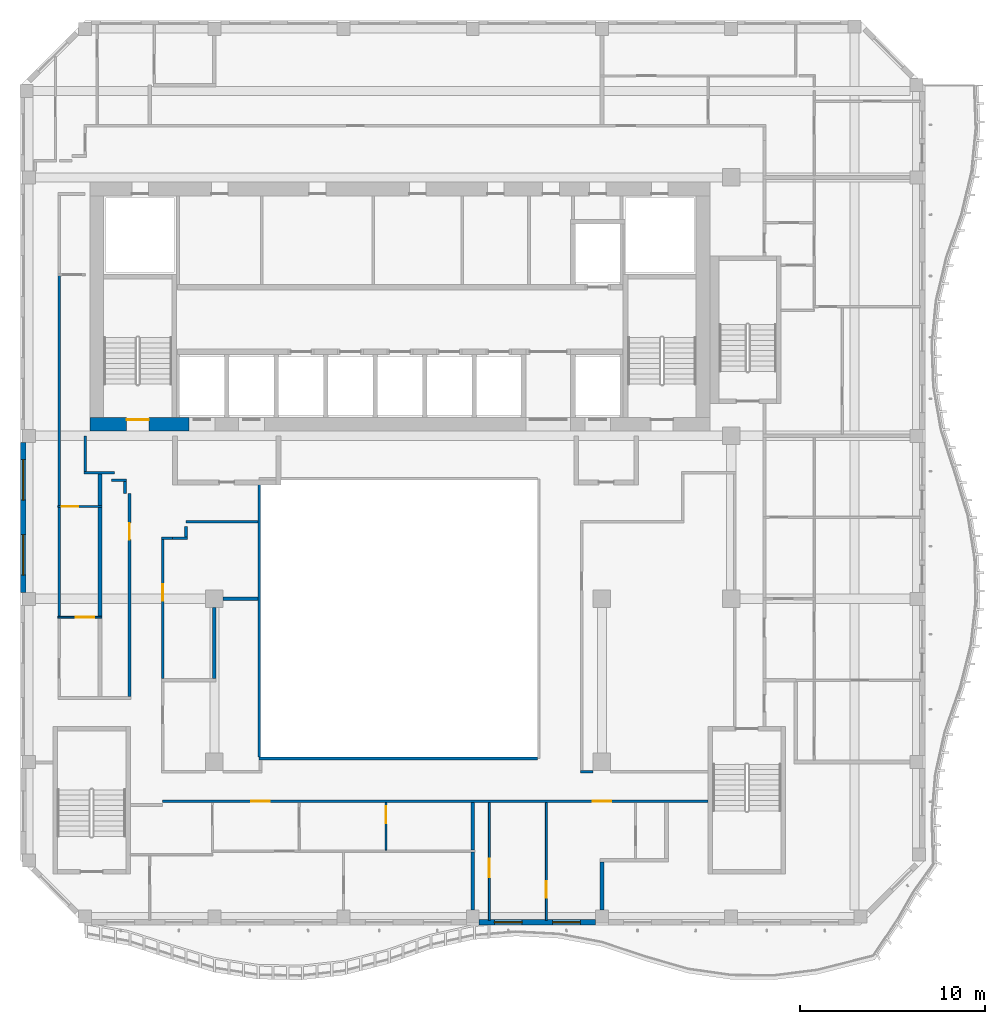
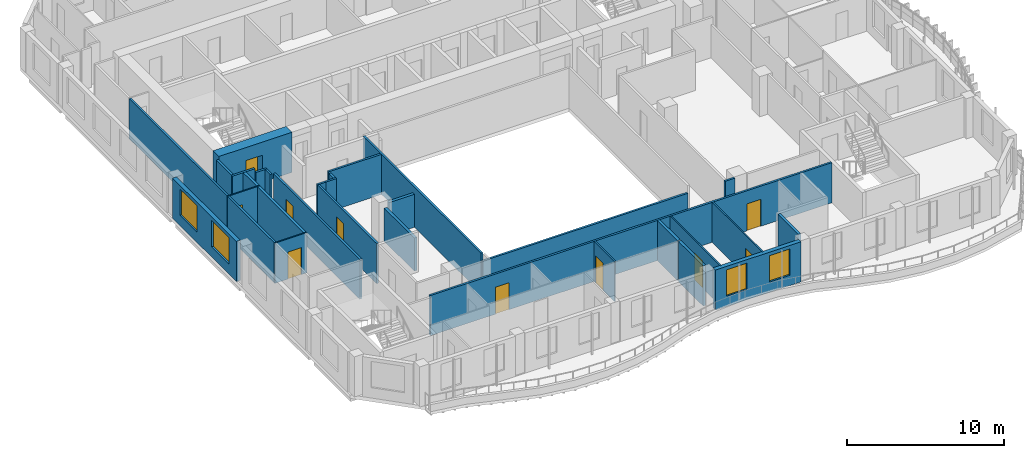
# One storey, part 3 of 19: 31 walls, 10 doors, 4 windows, 14 openings.
"""IFC4 building model written with IfcOpenShell, lengths in metres."""

from ifc_helpers import new_model, si_unit, direction, frame, frame_2d, origin, place, context, subcontext, project, spatial, rectangle, extrude, source, transform, mapped, material, layer, layer_set, type_object, element, fill, save


model = new_model("IFC4")

# Units and contexts
model_context = context("Model", 3, precision=1e-05, world=origin(), true_north=direction((0.0, 1.0)))
body_context = subcontext(model_context, "Body", "Model", "MODEL_VIEW")
ifc_project = project(units=[si_unit("LENGTHUNIT", "METRE"), si_unit("AREAUNIT", "SQUARE_METRE"), si_unit("VOLUMEUNIT", "CUBIC_METRE"), si_unit("PLANEANGLEUNIT", "RADIAN"), si_unit("MASSUNIT", "GRAM", prefix="KILO")], contexts=[model_context])

# Site, building, storey
site_placement = place(None, origin())
site = spatial("IfcSite", under=ifc_project, at=site_placement, CompositionType="ELEMENT")
building_placement = place(site_placement, origin())
building = spatial("IfcBuilding", under=site, at=building_placement, Name="Kilnfold Tower and Market Hall", CompositionType="ELEMENT")
storey_placement = place(building_placement, frame((0.0, 0.0, 242.39990234375)))
storey = spatial("IfcBuildingStorey", under=building, at=storey_placement, Name="L58", CompositionType="ELEMENT", Elevation=242.39990234375)

# Walls
ifc_material_1 = material(Name="Fire-resisting glazed screen")
ifc_layer_1 = layer(ifc_material_1, 0.14990234375)
ifc_layer_set_1 = layer_set([ifc_layer_1], Name="Fire-resisting glazed screen")
wall_type_1 = type_object("IfcWallType", Name="WALL ATRIUM 150", PredefinedType="PARTITIONING", material=ifc_layer_set_1)
wall_1_placement = place(storey_placement, frame((8.5, -9.47509765625, 0.0), z_axis=(0.0, 0.0, 1.0), x_axis=(-1.0, 0.0, 0.0)))
element("IfcWall", 1, at=wall_1_placement, inside=storey, type_object=wall_type_1, Name="Partition LY35.108", PredefinedType="PARTITIONING", context=body_context, shape_type="SweptSolid", body=[
    extrude(rectangle(XDim=15.074951171875, YDim=0.14990234375, at=frame_2d((7.53759765625, 0.0))), origin(), (0.0, 0.0, 1.0), 2.570068359375),
])
wall_2_placement = place(storey_placement, frame((-6.574951171875, -9.39990234375, 0.0), z_axis=(0.0, 0.0, 1.0), x_axis=(0.0, 1.0, 0.0)))
element("IfcWall", 2, at=wall_2_placement, inside=storey, type_object=wall_type_1, Name="Partition LY35.109", PredefinedType="PARTITIONING", context=body_context, shape_type="SweptSolid", body=[
    extrude(rectangle(XDim=15.0, YDim=0.14990234375, at=frame_2d((7.5, 0.0))), origin(), (0.0, 0.0, 1.0), 3.1201171875),
])
ifc_material_2 = material(Name="Gypsum board on steel studs", Category="steel")
ifc_layer_2 = layer(ifc_material_2, 0.14990234375)
ifc_layer_set_2 = layer_set([ifc_layer_2], Name="Gypsum board on steel studs")
wall_type_2 = type_object("IfcWallType", Name="WALL CORRIDOR 150", PredefinedType="PARTITIONING", material=ifc_layer_set_2)
wall_3_placement = place(storey_placement, frame((-17.39990234375, -1.791015625, 0.0), z_axis=(0.0, 0.0, 1.0), x_axis=(0.0, 1.0, 0.0)))
element("IfcWall", 3, at=wall_3_placement, inside=storey, type_object=wall_type_2, Name="Partition LY35.3", PredefinedType="PARTITIONING", context=body_context, shape_type="SweptSolid", body=[
    extrude(rectangle(XDim=5.925048828125, YDim=0.14990234375, at=frame_2d((2.96240234375, 0.0))), origin(), (0.0, 0.0, 1.0), 3.1201171875),
])
wall_4_placement = place(storey_placement, frame((-17.39990234375, 4.214111328125, 0.0), z_axis=(0.0, 0.0, 1.0), x_axis=(0.0, 1.0, 0.0)))
element("IfcWall", 4, at=wall_4_placement, inside=storey, type_object=wall_type_2, Name="Partition LY35.4", PredefinedType="PARTITIONING", context=body_context, shape_type="SweptSolid", body=[
    extrude(rectangle(XDim=12.476806640625, YDim=0.14990234375, at=frame_2d((6.23828125, 0.0))), origin(), (0.0, 0.0, 1.0), 3.1201171875),
])
wall_5_placement = place(storey_placement, frame((-16.074951171875, 6.0, 0.0), z_axis=(0.0, 0.0, 1.0), x_axis=(1.0, 0.0, 0.0)))
element("IfcWall", 5, at=wall_5_placement, inside=storey, type_object=wall_type_2, Name="Partition LY35.5", PredefinedType="PARTITIONING", context=body_context, shape_type="SweptSolid", body=[
    extrude(rectangle(XDim=1.64990234375, YDim=0.14990234375, at=frame_2d((0.824951171875, 0.0))), origin(), (0.0, 0.0, 1.0), 3.1201171875),
])
wall_6_placement = place(storey_placement, frame((-16.0, 6.074951171875, 0.0), z_axis=(0.0, 0.0, 1.0), x_axis=(0.0, 1.0, 0.0)))
element("IfcWall", 6, at=wall_6_placement, inside=storey, type_object=wall_type_2, Name="Partition LY35.6", PredefinedType="PARTITIONING", context=body_context, shape_type="SweptSolid", body=[
    extrude(rectangle(XDim=1.925048828125, YDim=0.14990234375, at=frame_2d((0.96240234375, 0.0))), origin(), (0.0, 0.0, 1.0), 3.1201171875),
])

# Wall, openings, doors
wall_7_placement = place(storey_placement, frame((-11.800048828125, -11.800048828125, 0.0), z_axis=(0.0, 0.0, 1.0), x_axis=(1.0, 0.0, 0.0)))
wall_7 = element("IfcWall", 7, at=wall_7_placement, inside=storey, type_object=wall_type_2, Name="Partition LY35.9", PredefinedType="PARTITIONING", context=body_context, shape_type="SweptSolid", body=[
    extrude(rectangle(XDim=29.550048828125, YDim=0.14990234375, at=frame_2d((14.77490234375, 0.0))), origin(), (0.0, 0.0, 1.0), 3.1201171875),
])
opening_1_placement = place(wall_7_placement, frame((4.802001953125, 0.0, 0.0)))
opening_1 = element("IfcOpeningElement", 8, at=opening_1_placement, cuts=wall_7, Name="Opening D1", PredefinedType="OPENING", context=body_context, shape_type="SweptSolid", body=[
    extrude(rectangle(XDim=1.0, YDim=2.10009765625, at=frame_2d((0.5, 1.050048828125))), frame((0.0, 0.0849609375, 0.0), z_axis=(0.0, -1.0, 0.0), x_axis=(1.0, 0.0, 0.0)), (0.0, 0.0, 1.0), 0.169921875),
])
opening_2_placement = place(wall_7_placement, frame((23.31396484375, 0.0, 0.0)))
opening_2 = element("IfcOpeningElement", 9, at=opening_2_placement, cuts=wall_7, Name="Opening D1", PredefinedType="OPENING", context=body_context, shape_type="SweptSolid", body=[
    extrude(rectangle(XDim=1.0, YDim=2.10009765625, at=frame_2d((0.5, 1.050048828125))), frame((0.0, 0.0849609375, 0.0), z_axis=(0.0, -1.0, 0.0), x_axis=(1.0, 0.0, 0.0)), (0.0, 0.0, 1.0), 0.169921875),
])
ifc_material_3 = material(Name="Timber veneer door leaf in steel frame", Category="steel")
door_type_1 = type_object("IfcDoorType", Name="DOOR ENTRY 1000 X2100", OperationType="NOTDEFINED", PredefinedType="DOOR", material=ifc_material_3)
door_1_placement = place(opening_1_placement, origin())
door_1 = element("IfcDoor", 10, at=door_1_placement, inside=storey, type_object=door_type_1, Name="Door D1", OperationType="SINGLE_SWING_RIGHT", OverallHeight=2.10009765625, OverallWidth=1.0, PredefinedType="DOOR", context=body_context, shape_type="SweptSolid", body=[
    extrude(rectangle(XDim=1.0, YDim=2.10009765625, at=frame_2d((0.5, 1.050048828125))), frame((0.0, 0.02490234375, 0.0), z_axis=(0.0, -1.0, 0.0), x_axis=(1.0, 0.0, 0.0)), (0.0, 0.0, 1.0), 0.050048828125),
])
fill(opening_1, door_1)
door_2_placement = place(opening_2_placement, origin())
door_2 = element("IfcDoor", 11, at=door_2_placement, inside=storey, type_object=door_type_1, Name="Door D1", OperationType="SINGLE_SWING_RIGHT", OverallHeight=2.10009765625, OverallWidth=1.0, PredefinedType="DOOR", context=body_context, shape_type="SweptSolid", body=[
    extrude(rectangle(XDim=1.0, YDim=2.10009765625, at=frame_2d((0.5, 1.050048828125))), frame((0.0, 0.02490234375, 0.0), z_axis=(0.0, -1.0, 0.0), x_axis=(1.0, 0.0, 0.0)), (0.0, 0.0, 1.0), 0.050048828125),
])
fill(opening_2, door_2)

# Wall, opening, door
wall_8_placement = place(storey_placement, frame((-13.60009765625, 4.87890625, 0.0), z_axis=(0.0, 0.0, 1.0), x_axis=(0.0, -1.0, 0.0)))
wall_8 = element("IfcWall", 12, at=wall_8_placement, inside=storey, type_object=wall_type_2, Name="Partition LY35.28", PredefinedType="PARTITIONING", context=body_context, shape_type="SweptSolid", body=[
    extrude(rectangle(XDim=11.00390625, YDim=0.14990234375, at=frame_2d((5.501953125, 0.0))), origin(), (0.0, 0.0, 1.0), 3.1201171875),
])
opening_3_placement = place(wall_8_placement, frame((1.60107421875, 0.0, 0.0)))
opening_3 = element("IfcOpeningElement", 13, at=opening_3_placement, cuts=wall_8, Name="Opening D2", PredefinedType="OPENING", context=body_context, shape_type="SweptSolid", body=[
    extrude(rectangle(XDim=0.89990234375, YDim=2.10009765625, at=frame_2d((0.449951171875, 1.050048828125))), frame((0.0, 0.0849609375, 0.0), z_axis=(0.0, -1.0, 0.0), x_axis=(1.0, 0.0, 0.0)), (0.0, 0.0, 1.0), 0.169921875),
])
ifc_material_4 = material(Name="Timber veneer door leaf in steel frame", Category="steel")
door_type_2 = type_object("IfcDoorType", Name="DOOR ROOM 900 X2100", OperationType="NOTDEFINED", PredefinedType="DOOR", material=ifc_material_4)
door_3_placement = place(opening_3_placement, origin())
door_3 = element("IfcDoor", 14, at=door_3_placement, inside=storey, type_object=door_type_2, Name="Door D2", OperationType="SINGLE_SWING_LEFT", OverallHeight=2.10009765625, OverallWidth=0.89990234375, PredefinedType="DOOR", context=body_context, shape_type="SweptSolid", body=[
    extrude(rectangle(XDim=0.89990234375, YDim=2.10009765625, at=frame_2d((0.449951171875, 1.050048828125))), frame((0.0, 0.02490234375, 0.0), z_axis=(0.0, -1.0, 0.0), x_axis=(1.0, 0.0, 0.0)), (0.0, 0.0, 1.0), 0.050048828125),
])
fill(opening_3, door_3)

# Walls
wall_9_placement = place(storey_placement, frame((-13.843017578125, 5.52490234375, 0.0), z_axis=(0.0, 0.0, 1.0), x_axis=(0.0, -1.0, 0.0)))
element("IfcWall", 15, at=wall_9_placement, inside=storey, type_object=wall_type_2, Name="Partition LY35.29", PredefinedType="PARTITIONING", context=body_context, shape_type="SweptSolid", body=[
    extrude(rectangle(XDim=0.64599609375, YDim=0.14990234375, at=frame_2d((0.322998046875, 0.0))), origin(), (0.0, 0.0, 1.0), 3.1201171875),
])
wall_10_placement = place(storey_placement, frame((-14.574951171875, 5.60009765625, 0.0), z_axis=(0.0, 0.0, 1.0), x_axis=(1.0, 0.0, 0.0)))
element("IfcWall", 16, at=wall_10_placement, inside=storey, type_object=wall_type_2, Name="Partition LY35.30", PredefinedType="PARTITIONING", context=body_context, shape_type="SweptSolid", body=[
    extrude(rectangle(XDim=0.806884765625, YDim=0.14990234375, at=frame_2d((0.4033203125, 0.0))), origin(), (0.0, 0.0, 1.0), 3.1201171875),
])
wall_11_placement = place(storey_placement, frame((-10.5458984375, 3.35009765625, 0.0), z_axis=(0.0, 0.0, 1.0), x_axis=(1.0, 0.0, 0.0)))
element("IfcWall", 17, at=wall_11_placement, inside=storey, type_object=wall_type_2, Name="Partition LY35.31", PredefinedType="PARTITIONING", context=body_context, shape_type="SweptSolid", body=[
    extrude(rectangle(XDim=3.89599609375, YDim=0.14990234375, at=frame_2d((1.947998046875, 0.0))), origin(), (0.0, 0.0, 1.0), 3.1201171875),
])
wall_12_placement = place(storey_placement, frame((-10.5439453125, 2.52294921875, 0.0), z_axis=(0.0, 0.0, 1.0), x_axis=(0.0, 1.0, 0.0)))
element("IfcWall", 18, at=wall_12_placement, inside=storey, type_object=wall_type_2, Name="Partition LY35.32", PredefinedType="PARTITIONING", context=body_context, shape_type="SweptSolid", body=[
    extrude(rectangle(XDim=0.570068359375, YDim=0.14990234375, at=frame_2d((0.28515625, 0.0))), origin(), (0.0, 0.0, 1.0), 3.1201171875),
])
wall_13_placement = place(storey_placement, frame((-11.261962890625, 2.447998046875, 0.0), z_axis=(0.0, 0.0, 1.0), x_axis=(1.0, 0.0, 0.0)))
element("IfcWall", 19, at=wall_13_placement, inside=storey, type_object=wall_type_2, Name="Partition LY35.33", PredefinedType="PARTITIONING", context=body_context, shape_type="SweptSolid", body=[
    extrude(rectangle(XDim=0.79296875, YDim=0.14990234375, at=frame_2d((0.396484375, 0.0))), origin(), (0.0, 0.0, 1.0), 3.1201171875),
])
wall_14_placement = place(storey_placement, frame((-11.875, 2.449951171875, 0.0), z_axis=(0.0, 0.0, 1.0), x_axis=(1.0, 0.0, 0.0)))
element("IfcWall", 20, at=wall_14_placement, inside=storey, type_object=wall_type_2, Name="Partition LY35.34", PredefinedType="PARTITIONING", context=body_context, shape_type="SweptSolid", body=[
    extrude(rectangle(XDim=0.613037109375, YDim=0.14990234375, at=frame_2d((0.306640625, 0.0))), origin(), (0.0, 0.0, 1.0), 3.1201171875),
])

# Wall, opening, door
wall_15_placement = place(storey_placement, frame((-11.800048828125, -5.159912109375, 0.0), z_axis=(0.0, 0.0, 1.0), x_axis=(0.0, 1.0, 0.0)))
wall_15 = element("IfcWall", 21, at=wall_15_placement, inside=storey, type_object=wall_type_2, Name="Partition LY35.35", PredefinedType="PARTITIONING", context=body_context, shape_type="SweptSolid", body=[
    extrude(rectangle(XDim=7.534912109375, YDim=0.14990234375, at=frame_2d((3.767578125, 0.0))), origin(), (0.0, 0.0, 1.0), 3.1201171875),
])
opening_4_placement = place(wall_15_placement, frame((4.222900390625, 0.0, 0.0)))
opening_4 = element("IfcOpeningElement", 22, at=opening_4_placement, cuts=wall_15, Name="Opening D2", PredefinedType="OPENING", context=body_context, shape_type="SweptSolid", body=[
    extrude(rectangle(XDim=0.89990234375, YDim=2.10009765625, at=frame_2d((0.449951171875, 1.050048828125))), frame((0.0, 0.0849609375, 0.0), z_axis=(0.0, -1.0, 0.0), x_axis=(1.0, 0.0, 0.0)), (0.0, 0.0, 1.0), 0.169921875),
])
door_4_placement = place(opening_4_placement, origin())
door_4 = element("IfcDoor", 23, at=door_4_placement, inside=storey, type_object=door_type_2, Name="Door D2", OperationType="SINGLE_SWING_LEFT", OverallHeight=2.10009765625, OverallWidth=0.89990234375, PredefinedType="DOOR", context=body_context, shape_type="SweptSolid", body=[
    extrude(rectangle(XDim=0.89990234375, YDim=2.10009765625, at=frame_2d((0.449951171875, 1.050048828125))), frame((0.0, 0.02490234375, 0.0), z_axis=(0.0, -1.0, 0.0), x_axis=(1.0, 0.0, 0.0)), (0.0, 0.0, 1.0), 0.050048828125),
])
fill(opening_4, door_4)

# Wall
wall_16_placement = place(storey_placement, frame((10.824951171875, -10.199951171875, 0.0), z_axis=(0.0, 0.0, 1.0), x_axis=(1.0, 0.0, 0.0)))
element("IfcWall", 24, at=wall_16_placement, inside=storey, type_object=wall_type_2, Name="Partition LY35.47", PredefinedType="PARTITIONING", context=body_context, shape_type="SweptSolid", body=[
    extrude(rectangle(XDim=0.699951171875, YDim=0.14990234375, at=frame_2d((0.35009765625, 0.0))), origin(), (0.0, 0.0, 1.0), 3.1201171875),
])

# Wall, opening, door
ifc_material_5 = material(Name="Gypsum board on steel studs", Category="steel")
ifc_layer_3 = layer(ifc_material_5, 0.10009765625)
ifc_layer_set_3 = layer_set([ifc_layer_3], Name="Gypsum board on steel studs")
wall_type_3 = type_object("IfcWallType", Name="WALL PARTITION 100", PredefinedType="PARTITIONING", material=ifc_layer_set_3)
wall_17_placement = place(storey_placement, frame((-15.10009765625, -1.8310546875, 0.0), z_axis=(0.0, 0.0, 1.0), x_axis=(-1.0, 0.0, 0.0)))
wall_17 = element("IfcWall", 25, at=wall_17_placement, inside=storey, type_object=wall_type_3, Name="Partition LY35.48", PredefinedType="PARTITIONING", context=body_context, shape_type="SweptSolid", body=[
    extrude(rectangle(XDim=2.372802734375, YDim=0.10009765625, at=frame_2d((1.1865234375, 0.0))), origin(), (0.0, 0.0, 1.0), 3.1201171875),
])
opening_5_placement = place(wall_17_placement, frame((0.416015625, 0.0, 0.0)))
opening_5 = element("IfcOpeningElement", 26, at=opening_5_placement, cuts=wall_17, Name="Opening D1", PredefinedType="OPENING", context=body_context, shape_type="SweptSolid", body=[
    extrude(rectangle(XDim=1.0, YDim=2.10009765625, at=frame_2d((0.5, 1.050048828125))), frame((0.0, 0.06005859375, 0.0), z_axis=(0.0, -1.0, 0.0), x_axis=(1.0, 0.0, 0.0)), (0.0, 0.0, 1.0), 0.1201171875),
])
door_5_placement = place(opening_5_placement, origin())
door_5 = element("IfcDoor", 27, at=door_5_placement, inside=storey, type_object=door_type_1, Name="Door D1", OperationType="SINGLE_SWING_LEFT", OverallHeight=2.10009765625, OverallWidth=1.0, PredefinedType="DOOR", context=body_context, shape_type="SweptSolid", body=[
    extrude(rectangle(XDim=1.0, YDim=2.10009765625, at=frame_2d((0.5, 1.050048828125))), frame((0.0, 0.02490234375, 0.0), z_axis=(0.0, -1.0, 0.0), x_axis=(1.0, 0.0, 0.0)), (0.0, 0.0, 1.0), 0.050048828125),
])
fill(opening_5, door_5)

wall_18_placement = place(storey_placement, frame((-15.10009765625, 4.174072265625, 0.0), z_axis=(0.0, 0.0, 1.0), x_axis=(-1.0, 0.0, 0.0)))
wall_18 = element("IfcWall", 28, at=wall_18_placement, inside=storey, type_object=wall_type_3, Name="Partition LY35.50", PredefinedType="PARTITIONING", context=body_context, shape_type="SweptSolid", body=[
    extrude(rectangle(XDim=2.372802734375, YDim=0.10009765625, at=frame_2d((1.1865234375, 0.0))), origin(), (0.0, 0.0, 1.0), 3.1201171875),
])
opening_6_placement = place(wall_18_placement, frame((1.27294921875, 0.0, 0.0)))
opening_6 = element("IfcOpeningElement", 29, at=opening_6_placement, cuts=wall_18, Name="Opening D2", PredefinedType="OPENING", context=body_context, shape_type="SweptSolid", body=[
    extrude(rectangle(XDim=0.89990234375, YDim=2.10009765625, at=frame_2d((0.449951171875, 1.050048828125))), frame((0.0, 0.06005859375, 0.0), z_axis=(0.0, -1.0, 0.0), x_axis=(1.0, 0.0, 0.0)), (0.0, 0.0, 1.0), 0.1201171875),
])
door_6_placement = place(opening_6_placement, origin())
door_6 = element("IfcDoor", 30, at=door_6_placement, inside=storey, type_object=door_type_2, Name="Door D2", OperationType="SINGLE_SWING_LEFT", OverallHeight=2.10009765625, OverallWidth=0.89990234375, PredefinedType="DOOR", context=body_context, shape_type="SweptSolid", body=[
    extrude(rectangle(XDim=0.89990234375, YDim=2.10009765625, at=frame_2d((0.449951171875, 1.050048828125))), frame((0.0, 0.02490234375, 0.0), z_axis=(0.0, -1.0, 0.0), x_axis=(1.0, 0.0, 0.0)), (0.0, 0.0, 1.0), 0.050048828125),
])
fill(opening_6, door_6)

wall_19_placement = place(storey_placement, frame((0.300048828125, -14.449951171875, 0.0), z_axis=(0.0, 0.0, 1.0), x_axis=(0.0, 1.0, 0.0)))
wall_19 = element("IfcWall", 31, at=wall_19_placement, inside=storey, type_object=wall_type_3, Name="Partition LY35.58", PredefinedType="PARTITIONING", context=body_context, shape_type="SweptSolid", body=[
    extrude(rectangle(XDim=2.572998046875, YDim=0.10009765625, at=frame_2d((1.28662109375, 0.0))), origin(), (0.0, 0.0, 1.0), 3.1201171875),
])
opening_7_placement = place(wall_19_placement, frame((1.472900390625, 0.0, 0.0)))
opening_7 = element("IfcOpeningElement", 32, at=opening_7_placement, cuts=wall_19, Name="Opening D2", PredefinedType="OPENING", context=body_context, shape_type="SweptSolid", body=[
    extrude(rectangle(XDim=0.89990234375, YDim=2.10009765625, at=frame_2d((0.449951171875, 1.050048828125))), frame((0.0, 0.06005859375, 0.0), z_axis=(0.0, -1.0, 0.0), x_axis=(1.0, 0.0, 0.0)), (0.0, 0.0, 1.0), 0.1201171875),
])
door_7_placement = place(opening_7_placement, origin())
door_7 = element("IfcDoor", 33, at=door_7_placement, inside=storey, type_object=door_type_2, Name="Door D2", OperationType="SINGLE_SWING_LEFT", OverallHeight=2.10009765625, OverallWidth=0.89990234375, PredefinedType="DOOR", context=body_context, shape_type="SweptSolid", body=[
    extrude(rectangle(XDim=0.89990234375, YDim=2.10009765625, at=frame_2d((0.449951171875, 1.050048828125))), frame((0.0, 0.02490234375, 0.0), z_axis=(0.0, -1.0, 0.0), x_axis=(1.0, 0.0, 0.0)), (0.0, 0.0, 1.0), 0.050048828125),
])
fill(opening_7, door_7)

wall_20_placement = place(storey_placement, frame((5.89990234375, -18.25, 0.0), z_axis=(0.0, 0.0, 1.0), x_axis=(0.0, 1.0, 0.0)))
wall_20 = element("IfcWall", 34, at=wall_20_placement, inside=storey, type_object=wall_type_3, Name="Partition LY35.63", PredefinedType="PARTITIONING", context=body_context, shape_type="SweptSolid", body=[
    extrude(rectangle(XDim=6.373046875, YDim=0.10009765625, at=frame_2d((3.1865234375, 0.0))), origin(), (0.0, 0.0, 1.0), 3.1201171875),
])
opening_8_placement = place(wall_20_placement, frame((2.3310546875, 0.0, 0.0)))
opening_8 = element("IfcOpeningElement", 35, at=opening_8_placement, cuts=wall_20, Name="Opening D1", PredefinedType="OPENING", context=body_context, shape_type="SweptSolid", body=[
    extrude(rectangle(XDim=1.0, YDim=2.10009765625, at=frame_2d((0.5, 1.050048828125))), frame((0.0, 0.06005859375, 0.0), z_axis=(0.0, -1.0, 0.0), x_axis=(1.0, 0.0, 0.0)), (0.0, 0.0, 1.0), 0.1201171875),
])
door_8_placement = place(opening_8_placement, origin())
door_8 = element("IfcDoor", 36, at=door_8_placement, inside=storey, type_object=door_type_1, Name="Door D1", OperationType="SINGLE_SWING_RIGHT", OverallHeight=2.10009765625, OverallWidth=1.0, PredefinedType="DOOR", context=body_context, shape_type="SweptSolid", body=[
    extrude(rectangle(XDim=1.0, YDim=2.10009765625, at=frame_2d((0.5, 1.050048828125))), frame((0.0, 0.02490234375, 0.0), z_axis=(0.0, -1.0, 0.0), x_axis=(1.0, 0.0, 0.0)), (0.0, 0.0, 1.0), 0.050048828125),
])
fill(opening_8, door_8)

wall_21_placement = place(storey_placement, frame((8.989990234375, -18.25, 0.0), z_axis=(0.0, 0.0, 1.0), x_axis=(0.0, 1.0, 0.0)))
wall_21 = element("IfcWall", 37, at=wall_21_placement, inside=storey, type_object=wall_type_3, Name="Partition LY35.64", PredefinedType="PARTITIONING", context=body_context, shape_type="SweptSolid", body=[
    extrude(rectangle(XDim=6.373046875, YDim=0.10009765625, at=frame_2d((3.1865234375, 0.0))), origin(), (0.0, 0.0, 1.0), 3.1201171875),
])
opening_9_placement = place(wall_21_placement, frame((1.215087890625, 0.0, 0.0)))
opening_9 = element("IfcOpeningElement", 38, at=opening_9_placement, cuts=wall_21, Name="Opening D2", PredefinedType="OPENING", context=body_context, shape_type="SweptSolid", body=[
    extrude(rectangle(XDim=0.89990234375, YDim=2.10009765625, at=frame_2d((0.449951171875, 1.050048828125))), frame((0.0, 0.06005859375, 0.0), z_axis=(0.0, -1.0, 0.0), x_axis=(1.0, 0.0, 0.0)), (0.0, 0.0, 1.0), 0.1201171875),
])
door_9_placement = place(opening_9_placement, origin())
door_9 = element("IfcDoor", 39, at=door_9_placement, inside=storey, type_object=door_type_2, Name="Door D2", OperationType="SINGLE_SWING_LEFT", OverallHeight=2.10009765625, OverallWidth=0.89990234375, PredefinedType="DOOR", context=body_context, shape_type="SweptSolid", body=[
    extrude(rectangle(XDim=0.89990234375, YDim=2.10009765625, at=frame_2d((0.449951171875, 1.050048828125))), frame((0.0, 0.02490234375, 0.0), z_axis=(0.0, -1.0, 0.0), x_axis=(1.0, 0.0, 0.0)), (0.0, 0.0, 1.0), 0.050048828125),
])
fill(opening_9, door_9)

# Walls
ifc_material_6 = material(Name="Gypsum board on steel studs", Category="steel")
ifc_layer_4 = layer(ifc_material_6, 0.199951171875)
ifc_layer_set_4 = layer_set([ifc_layer_4], Name="Gypsum board on steel studs")
wall_type_4 = type_object("IfcWallType", Name="WALL PARTY 200", PredefinedType="PARTITIONING", material=ifc_layer_set_4)
wall_22_placement = place(storey_placement, frame((-15.199951171875, -1.781005859375, 0.0), z_axis=(0.0, 0.0, 1.0), x_axis=(0.0, 1.0, 0.0)))
element("IfcWall", 40, at=wall_22_placement, inside=storey, type_object=wall_type_4, Name="Partition LY35.51", PredefinedType="PARTITIONING", context=body_context, shape_type="SweptSolid", body=[
    extrude(rectangle(XDim=5.905029296875, YDim=0.199951171875, at=frame_2d((2.95263671875, 0.0))), origin(), (0.0, 0.0, 1.0), 3.1201171875),
])
wall_23_placement = place(storey_placement, frame((-15.199951171875, 4.22412109375, 0.0), z_axis=(0.0, 0.0, 1.0), x_axis=(0.0, 1.0, 0.0)))
element("IfcWall", 41, at=wall_23_placement, inside=storey, type_object=wall_type_4, Name="Partition LY35.53", PredefinedType="PARTITIONING", context=body_context, shape_type="SweptSolid", body=[
    extrude(rectangle(XDim=1.698974609375, YDim=0.199951171875, at=frame_2d((0.849609375, 0.0))), origin(), (0.0, 0.0, 1.0), 3.1201171875),
])
wall_24_placement = place(storey_placement, frame((5.0, -14.449951171875, 0.0), z_axis=(0.0, 0.0, 1.0), x_axis=(0.0, 1.0, 0.0)))
element("IfcWall", 42, at=wall_24_placement, inside=storey, type_object=wall_type_4, Name="Partition LY35.59", PredefinedType="PARTITIONING", context=body_context, shape_type="SweptSolid", body=[
    extrude(rectangle(XDim=2.572998046875, YDim=0.199951171875, at=frame_2d((1.28662109375, 0.0))), origin(), (0.0, 0.0, 1.0), 3.1201171875),
])
wall_25_placement = place(storey_placement, frame((5.0, -17.699951171875, 0.0), z_axis=(0.0, 0.0, 1.0), x_axis=(0.0, 1.0, 0.0)))
element("IfcWall", 43, at=wall_25_placement, inside=storey, type_object=wall_type_4, Name="Partition LY35.62", PredefinedType="PARTITIONING", context=body_context, shape_type="SweptSolid", body=[
    extrude(rectangle(XDim=3.14794921875, YDim=0.199951171875, at=frame_2d((1.573974609375, 0.0))), origin(), (0.0, 0.0, 1.0), 3.1201171875),
])
wall_26_placement = place(storey_placement, frame((12.0, -17.699951171875, 0.0), z_axis=(0.0, 0.0, 1.0), x_axis=(0.0, 1.0, 0.0)))
element("IfcWall", 44, at=wall_26_placement, inside=storey, type_object=wall_type_4, Name="Partition LY35.67", PredefinedType="PARTITIONING", context=body_context, shape_type="SweptSolid", body=[
    extrude(rectangle(XDim=2.599853515625, YDim=0.199951171875, at=frame_2d((1.2998046875, 0.0))), origin(), (0.0, 0.0, 1.0), 3.1201171875),
])
wall_27_placement = place(storey_placement, frame((-8.52490234375, -0.8330078125, 0.0), z_axis=(0.0, 0.0, 1.0), x_axis=(1.0, 0.0, 0.0)))
element("IfcWall", 45, at=wall_27_placement, inside=storey, type_object=wall_type_4, Name="Partition LY35.105", PredefinedType="PARTITIONING", context=body_context, shape_type="SweptSolid", body=[
    extrude(rectangle(XDim=1.875, YDim=0.199951171875, at=frame_2d((0.9375, 0.0))), origin(), (0.0, 0.0, 1.0), 2.570068359375),
])
wall_28_placement = place(storey_placement, frame((-9.0, -5.14990234375, 0.0), z_axis=(0.0, 0.0, 1.0), x_axis=(0.0, 1.0, 0.0)))
element("IfcWall", 46, at=wall_28_placement, inside=storey, type_object=wall_type_4, Name="Partition LY35.106", PredefinedType="PARTITIONING", context=body_context, shape_type="SweptSolid", body=[
    extrude(rectangle(XDim=3.841796875, YDim=0.199951171875, at=frame_2d((1.9208984375, 0.0))), origin(), (0.0, 0.0, 1.0), 2.570068359375),
])

# Wall, opening, door
ifc_material_7 = material(Name="Concrete C60", Category="concrete")
ifc_layer_5 = layer(ifc_material_7, 0.75)
ifc_layer_set_5 = layer_set([ifc_layer_5], Name="Concrete C60")
wall_type_5 = type_object("IfcWallType", Name="CORE WALL 750 C60", PredefinedType="SHEAR", material=ifc_layer_set_5)
shared_shape_1 = source(origin(), body_context, "Body", "SweptSolid", [
    extrude(rectangle(XDim=5.3798828125, YDim=0.75, at=frame_2d((2.68994140625, 0.0))), origin(), (0.0, 0.0, 1.0), 3.1201171875),
])
wall_29_placement = place(storey_placement, frame((-15.75, 8.625, 0.0), z_axis=(0.0, 0.0, 1.0), x_axis=(1.0, 0.0, 0.0)))
wall_29 = element("IfcWall", 47, at=wall_29_placement, inside=storey, type_object=wall_type_5, Name="Core outer wall south", PredefinedType="SHEAR", context=body_context, shape_type="MappedRepresentation", body=[
    mapped(shared_shape_1, transform((0.0, 0.0, 0.0))),
])
opening_10_placement = place(wall_29_placement, frame((2.0, 0.0, 0.0)))
opening_10 = element("IfcOpeningElement", 48, at=opening_10_placement, cuts=wall_29, Name="Opening SD1", PredefinedType="OPENING", context=body_context, shape_type="SweptSolid", body=[
    extrude(rectangle(XDim=1.199951171875, YDim=2.10009765625, at=frame_2d((0.60009765625, 1.050048828125))), frame((0.0, 0.385009765625, 0.0), z_axis=(0.0, -1.0, 0.0), x_axis=(1.0, 0.0, 0.0)), (0.0, 0.0, 1.0), 0.77001953125),
])
ifc_material_8 = material(Name="Steel door set with fire-resisting leaf", Category="steel")
door_type_3 = type_object("IfcDoorType", Name="STAIR FLOOR DOOR 1200X2100", OperationType="NOTDEFINED", PredefinedType="DOOR", material=ifc_material_8)
door_10_placement = place(opening_10_placement, origin())
door_10 = element("IfcDoor", 49, at=door_10_placement, inside=storey, type_object=door_type_3, Name="Exit stair ST1 door", OperationType="DOUBLE_DOOR_SINGLE_SWING", OverallHeight=2.10009765625, OverallWidth=1.199951171875, PredefinedType="DOOR", context=body_context, shape_type="SweptSolid", body=[
    extrude(rectangle(XDim=1.199951171875, YDim=2.10009765625, at=frame_2d((0.60009765625, 1.050048828125))), frame((0.0, 0.27978515625, 0.0), z_axis=(0.0, -1.0, 0.0), x_axis=(1.0, 0.0, 0.0)), (0.0, 0.0, 1.0), 0.050048828125),
])
fill(opening_10, door_10)

# Wall, openings, windows
ifc_material_9 = material(Name="Precast concrete C50/60", Category="concrete")
ifc_layer_6 = layer(ifc_material_9, 0.300048828125)
ifc_layer_set_6 = layer_set([ifc_layer_6], Name="Precast concrete C50/60")
wall_type_6 = type_object("IfcWallType", Name="PRECAST WALL 300", PredefinedType="SOLIDWALL", material=ifc_layer_set_6)
shared_shape_2 = source(origin(), body_context, "Body", "SweptSolid", [
    extrude(rectangle(XDim=6.2998046875, YDim=0.300048828125, at=frame_2d((3.14990234375, 0.0))), origin(), (0.0, 0.0, 1.0), 3.1201171875),
])
wall_30_placement = place(storey_placement, frame((5.35009765625, -18.35009765625, 0.0), z_axis=(0.0, 0.0, 1.0), x_axis=(1.0, 0.0, 0.0)))
wall_30 = element("IfcWall", 50, at=wall_30_placement, inside=storey, type_object=wall_type_6, Name="External wall L58 S", PredefinedType="SOLIDWALL", context=body_context, shape_type="MappedRepresentation", body=[
    mapped(shared_shape_2, transform((0.0, 0.0, 0.0))),
])
opening_11_placement = place(wall_30_placement, frame((0.824951171875, 0.0, 0.800048828125)))
opening_11 = element("IfcOpeningElement", 51, at=opening_11_placement, cuts=wall_30, Name="Opening W5", PredefinedType="OPENING", context=body_context, shape_type="SweptSolid", body=[
    extrude(rectangle(XDim=1.5, YDim=2.050048828125, at=frame_2d((0.75, 1.02490234375))), frame((0.0, 0.16015625, 0.0), z_axis=(0.0, -1.0, 0.0), x_axis=(1.0, 0.0, 0.0)), (0.0, 0.0, 1.0), 0.320068359375),
])
opening_12_placement = place(wall_30_placement, frame((3.97509765625, 0.0, 0.800048828125)))
opening_12 = element("IfcOpeningElement", 52, at=opening_12_placement, cuts=wall_30, Name="Opening W5", PredefinedType="OPENING", context=body_context, shape_type="SweptSolid", body=[
    extrude(rectangle(XDim=1.5, YDim=2.050048828125, at=frame_2d((0.75, 1.02490234375))), frame((0.0, 0.16015625, 0.0), z_axis=(0.0, -1.0, 0.0), x_axis=(1.0, 0.0, 0.0)), (0.0, 0.0, 1.0), 0.320068359375),
])
ifc_material_10 = material(Name="Aluminium frame and double glazing", Category="aluminium")
window_type_1 = type_object("IfcWindowType", Name="WINDOW W5 1500X2050", PartitioningType="SINGLE_PANEL", PredefinedType="WINDOW", material=ifc_material_10)
window_1_placement = place(opening_11_placement, origin())
window_1 = element("IfcWindow", 53, at=window_1_placement, inside=storey, type_object=window_type_1, Name="Window W5 L58 S-1", OverallHeight=2.050048828125, OverallWidth=1.5, PartitioningType="SINGLE_PANEL", PredefinedType="WINDOW", context=body_context, shape_type="SweptSolid", body=[
    extrude(rectangle(XDim=1.5, YDim=2.050048828125, at=frame_2d((0.75, 1.02490234375))), frame((0.0, 0.030029296875, 0.0), z_axis=(0.0, -1.0, 0.0), x_axis=(1.0, 0.0, 0.0)), (0.0, 0.0, 1.0), 0.06005859375),
])
fill(opening_11, window_1)
window_2_placement = place(opening_12_placement, origin())
window_2 = element("IfcWindow", 54, at=window_2_placement, inside=storey, type_object=window_type_1, Name="Window W5 L58 S-2", OverallHeight=2.050048828125, OverallWidth=1.5, PartitioningType="SINGLE_PANEL", PredefinedType="WINDOW", context=body_context, shape_type="SweptSolid", body=[
    extrude(rectangle(XDim=1.5, YDim=2.050048828125, at=frame_2d((0.75, 1.02490234375))), frame((0.0, 0.030029296875, 0.0), z_axis=(0.0, -1.0, 0.0), x_axis=(1.0, 0.0, 0.0)), (0.0, 0.0, 1.0), 0.06005859375),
])
fill(opening_12, window_2)

shared_shape_3 = source(origin(), body_context, "Body", "SweptSolid", [
    extrude(rectangle(XDim=8.13330078125, YDim=0.300048828125, at=frame_2d((4.066650390625, 0.0))), origin(), (0.0, 0.0, 1.0), 3.1201171875),
])
wall_31_placement = place(storey_placement, frame((-19.35009765625, 7.64990234375, 0.0), z_axis=(0.0, 0.0, 1.0), x_axis=(0.0, -1.0, 0.0)))
wall_31 = element("IfcWall", 55, at=wall_31_placement, inside=storey, type_object=wall_type_6, Name="External wall L58 W", PredefinedType="SOLIDWALL", context=body_context, shape_type="MappedRepresentation", body=[
    mapped(shared_shape_3, transform((0.0, 0.0, 0.0))),
])
opening_13_placement = place(wall_31_placement, frame((0.933349609375, 0.0, 0.800048828125)))
opening_13 = element("IfcOpeningElement", 56, at=opening_13_placement, cuts=wall_31, Name="Opening W3", PredefinedType="OPENING", context=body_context, shape_type="SweptSolid", body=[
    extrude(rectangle(XDim=2.199951171875, YDim=2.050048828125, at=frame_2d((1.10009765625, 1.02490234375))), frame((0.0, 0.16015625, 0.0), z_axis=(0.0, -1.0, 0.0), x_axis=(1.0, 0.0, 0.0)), (0.0, 0.0, 1.0), 0.320068359375),
])
opening_14_placement = place(wall_31_placement, frame((5.0, 0.0, 0.800048828125)))
opening_14 = element("IfcOpeningElement", 57, at=opening_14_placement, cuts=wall_31, Name="Opening W3", PredefinedType="OPENING", context=body_context, shape_type="SweptSolid", body=[
    extrude(rectangle(XDim=2.199951171875, YDim=2.050048828125, at=frame_2d((1.10009765625, 1.02490234375))), frame((0.0, 0.16015625, 0.0), z_axis=(0.0, -1.0, 0.0), x_axis=(1.0, 0.0, 0.0)), (0.0, 0.0, 1.0), 0.320068359375),
])
ifc_material_11 = material(Name="Aluminium frame and double glazing", Category="aluminium")
window_type_2 = type_object("IfcWindowType", Name="WINDOW W3 2200X2050", PartitioningType="SINGLE_PANEL", PredefinedType="WINDOW", material=ifc_material_11)
window_3_placement = place(opening_13_placement, origin())
window_3 = element("IfcWindow", 58, at=window_3_placement, inside=storey, type_object=window_type_2, Name="Window W3 L58 W-1", OverallHeight=2.050048828125, OverallWidth=2.199951171875, PartitioningType="SINGLE_PANEL", PredefinedType="WINDOW", context=body_context, shape_type="SweptSolid", body=[
    extrude(rectangle(XDim=2.199951171875, YDim=2.050048828125, at=frame_2d((1.10009765625, 1.02490234375))), frame((0.0, 0.030029296875, 0.0), z_axis=(0.0, -1.0, 0.0), x_axis=(1.0, 0.0, 0.0)), (0.0, 0.0, 1.0), 0.06005859375),
])
fill(opening_13, window_3)
window_4_placement = place(opening_14_placement, origin())
window_4 = element("IfcWindow", 59, at=window_4_placement, inside=storey, type_object=window_type_2, Name="Window W3 L58 W-2", OverallHeight=2.050048828125, OverallWidth=2.199951171875, PartitioningType="SINGLE_PANEL", PredefinedType="WINDOW", context=body_context, shape_type="SweptSolid", body=[
    extrude(rectangle(XDim=2.199951171875, YDim=2.050048828125, at=frame_2d((1.10009765625, 1.02490234375))), frame((0.0, 0.030029296875, 0.0), z_axis=(0.0, -1.0, 0.0), x_axis=(1.0, 0.0, 0.0)), (0.0, 0.0, 1.0), 0.06005859375),
])
fill(opening_14, window_4)

save(model, "model.ifc")
